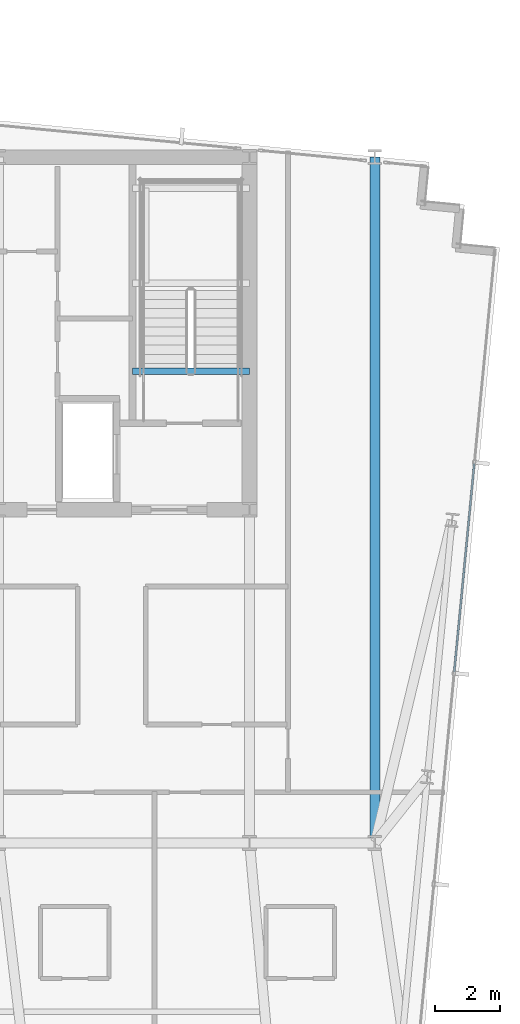
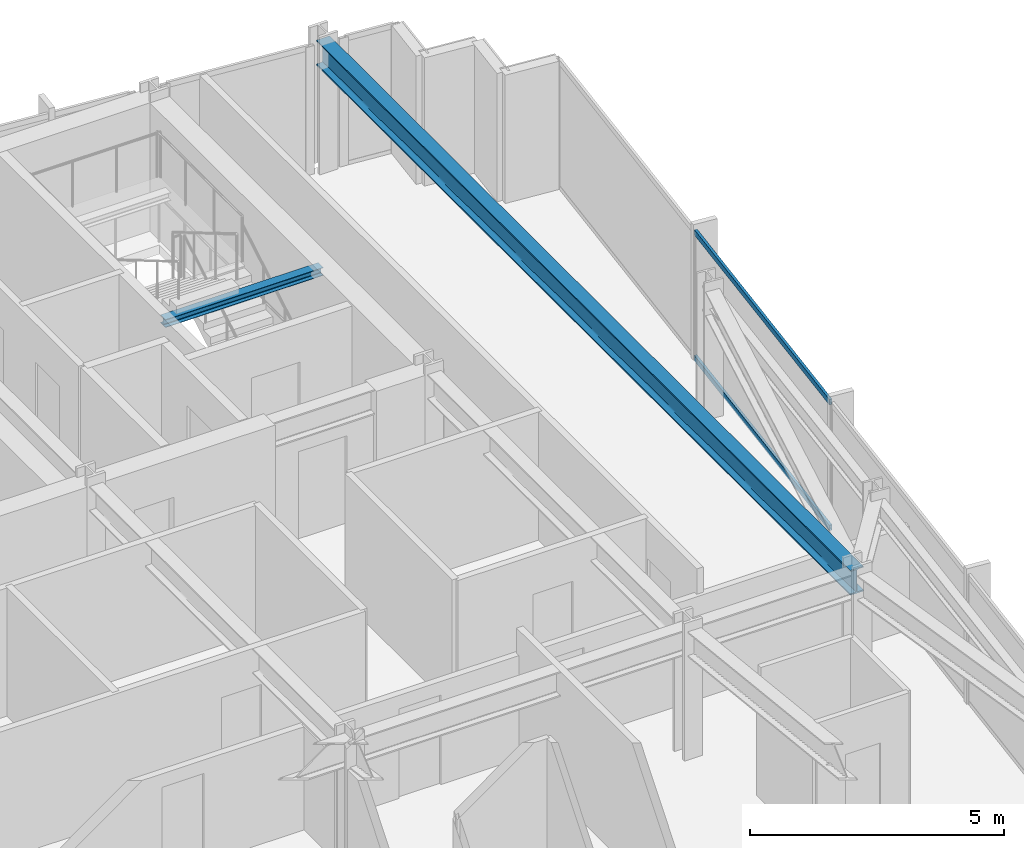
# One storey, part 19 of 37: 2 beams, 2 members, 1 element without a shape of its own.
"""IFC4 building model written with IfcOpenShell, lengths in metres."""

from ifc_helpers import new_model, si_unit, direction, frame, origin, origin_2d, place, context, subcontext, project, spatial, hollow_rectangle, i_section, extrude, material, material_profile, profile_set, type_object, element, aggregate, save


model = new_model("IFC4")

# Units and contexts
model_context = context("Model", 3, precision=1e-05, world=origin(), true_north=direction((0.0, 1.0)))
body_context = subcontext(model_context, "Body", "Model", "MODEL_VIEW")
ifc_project = project(units=[si_unit("LENGTHUNIT", "METRE"), si_unit("AREAUNIT", "SQUARE_METRE"), si_unit("VOLUMEUNIT", "CUBIC_METRE"), si_unit("PLANEANGLEUNIT", "RADIAN"), si_unit("MASSUNIT", "GRAM", prefix="KILO")], contexts=[model_context])

# Site, building, storey
site_placement = place(None, origin())
site = spatial("IfcSite", under=ifc_project, at=site_placement, CompositionType="ELEMENT")
building_placement = place(site_placement, origin())
building = spatial("IfcBuilding", under=site, at=building_placement, Name="Yelkora Congress Tower", CompositionType="ELEMENT")
storey_placement = place(building_placement, frame((0.0, 0.0, 175.39990234375)))
storey = spatial("IfcBuildingStorey", under=building, at=storey_placement, Name="L48", CompositionType="ELEMENT", Elevation=175.39990234375)

# Beams
ifc_material_1 = material(Name="Steel S355J2", Category="steel")
ifc_material_profile_1 = material_profile(ifc_material_1, i_section(OverallWidth=0.300048828125, OverallDepth=0.60009765625, WebThickness=0.015380859375, FlangeThickness=0.030029296875, FilletRadius=0.027099609375, at=origin_2d()), Name="HEB 600")
ifc_profile_set_1 = profile_set([ifc_material_profile_1], Name="Steel S355J2")
beam_type_1 = type_object("IfcBeamType", Name="BM-GIRD-HEB600", PredefinedType="BEAM", material=ifc_profile_set_1)
beam_1_placement = place(storey_placement, frame((57.60009765625, 25.199951171875, 2.780029296875), z_axis=(0.0, 1.0, 0.0), x_axis=(-1.0, 0.0, 0.0)))
element("IfcBeam", 1, at=beam_1_placement, inside=storey, type_object=beam_type_1, Name="L48 Neck Flank Girder MC-F2", PredefinedType="BEAM", context=body_context, shape_type="SweptSolid", body=[
    extrude(i_section(OverallWidth=0.300048828125, OverallDepth=0.60009765625, WebThickness=0.015380859375, FlangeThickness=0.030029296875, FilletRadius=0.027099609375, at=origin_2d()), origin(), (0.0, 0.0, 1.0), 21.0),
])
ifc_material_profile_2 = material_profile(ifc_material_1, i_section(OverallWidth=0.199951171875, OverallDepth=0.18994140625, WebThickness=0.006591796875, FlangeThickness=0.010009765625, FilletRadius=0.01806640625, at=origin_2d()), Name="HEA 200")
ifc_profile_set_2 = profile_set([ifc_material_profile_2], Name="Steel S355J2")
beam_type_2 = type_object("IfcBeamType", Name="BM-LAND-HEA200", PredefinedType="BEAM", material=ifc_profile_set_2)
beam_2_placement = place(storey_placement, frame((50.179931640625, 39.639892578125, 2.85400390625), z_axis=(1.0, 0.0, 0.0), x_axis=(0.0, 1.0, 0.0)))
element("IfcBeam", 2, at=beam_2_placement, inside=storey, type_object=beam_type_2, Name="ST-02 L48 Floor Arrival Stringer Header Beam", PredefinedType="BEAM", context=body_context, shape_type="SweptSolid", body=[
    extrude(i_section(OverallWidth=0.199951171875, OverallDepth=0.18994140625, WebThickness=0.006591796875, FlangeThickness=0.010009765625, FilletRadius=0.01806640625, at=origin_2d()), origin(), (0.0, 0.0, 1.0), 3.580078125),
])

# Curtain wall, members
ifc_material_2 = material(Name="Anodised aluminium and insulated glass", Category="aluminium")
curtain_wall_type = type_object("IfcCurtainWallType", Name="CW-SYS-B3", PredefinedType="NOTDEFINED", material=ifc_material_2)
curtain_wall_placement = place(storey_placement, origin())
curtain_wall = element("IfcCurtainWall", 3, at=curtain_wall_placement, inside=storey, type_object=curtain_wall_type, Name="L48 Unitised Curtain Wall 15", PredefinedType="NOTDEFINED")
ifc_material_3 = material(Name="Anodised aluminium 6063-T6", Category="aluminium")
ifc_material_profile_3 = material_profile(ifc_material_3, hollow_rectangle(XDim=0.06005859375, YDim=0.1298828125, WallThickness=0.00390625, at=origin_2d()), Name="ALU 60x130x4")
ifc_profile_set_3 = profile_set([ifc_material_profile_3], Name="Anodised aluminium 6063-T6")
member_type = type_object("IfcMemberType", Name="MEM-TR-B3", PredefinedType="USERDEFINED", material=ifc_profile_set_3)
member_1_placement = place(storey_placement, frame((60.642822265625, 36.81494140625, 0.030029296875), z_axis=(-0.095843682057, -0.995396397728, 0.0), x_axis=(0.995396397728, -0.095843682057, 0.0)))
member_1 = element("IfcMember", 4, at=member_1_placement, type_object=member_type, Name="CW-B3 transom 2.1", ObjectType="TRANSOM", PredefinedType="USERDEFINED", context=body_context, shape_type="SweptSolid", body=[
    extrude(hollow_rectangle(XDim=0.06005859375, YDim=0.1298828125, WallThickness=0.00390625, at=origin_2d()), origin(), (0.0, 0.0, 1.0), 6.4140625),
])
member_2_placement = place(storey_placement, frame((60.642822265625, 36.81494140625, 3.050048828125), z_axis=(-0.095843682057, -0.995396397728, 0.0), x_axis=(0.995396397728, -0.095843682057, 0.0)))
member_2 = element("IfcMember", 5, at=member_2_placement, type_object=member_type, Name="CW-B3 transom 2.2", ObjectType="TRANSOM", PredefinedType="USERDEFINED", context=body_context, shape_type="SweptSolid", body=[
    extrude(hollow_rectangle(XDim=0.06005859375, YDim=0.1298828125, WallThickness=0.00390625, at=origin_2d()), origin(), (0.0, 0.0, 1.0), 6.4140625),
])
aggregate(curtain_wall, [member_1, member_2])

save(model, "model.ifc")
